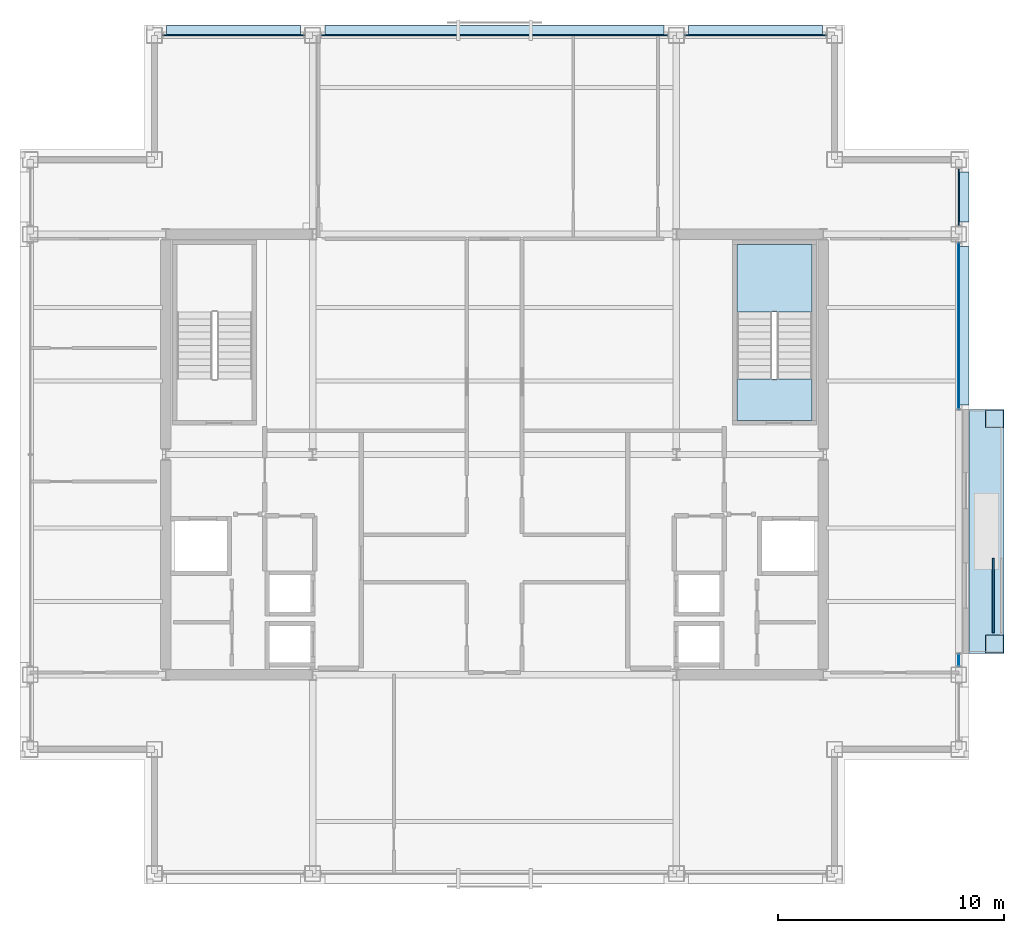
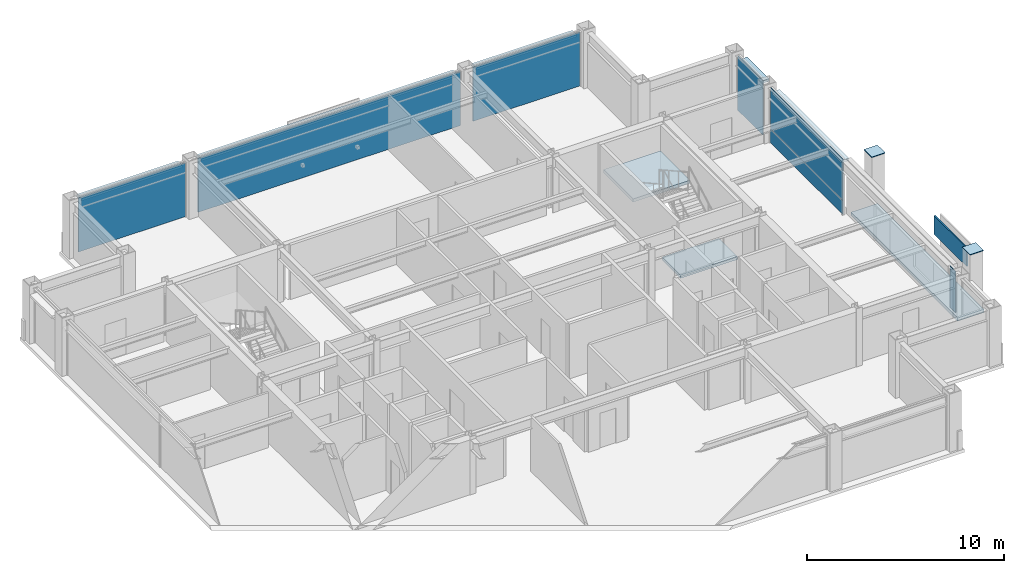
# One storey, part 24 of 30: 15 plates, 3 slabs, 7 elements without a shape of their own.
"""IFC4 building model written with IfcOpenShell, lengths in metres."""

from ifc_helpers import new_model, si_unit, direction, frame, origin, origin_2d, place, context, subcontext, project, spatial, polyline, rectangle, outline, extrude, material, layer, layer_set, type_object, element, aggregate, save


model = new_model("IFC4")

# Units and contexts
model_context = context("Model", 3, precision=1e-05, world=origin(), true_north=direction((0.0, 1.0)))
body_context = subcontext(model_context, "Body", "Model", "MODEL_VIEW")
ifc_project = project(units=[si_unit("LENGTHUNIT", "METRE"), si_unit("AREAUNIT", "SQUARE_METRE"), si_unit("VOLUMEUNIT", "CUBIC_METRE"), si_unit("PLANEANGLEUNIT", "RADIAN"), si_unit("MASSUNIT", "GRAM", prefix="KILO")], contexts=[model_context])

# Site, building, storey
site_placement = place(None, origin())
site = spatial("IfcSite", under=ifc_project, at=site_placement, CompositionType="ELEMENT")
building_placement = place(site_placement, origin())
building = spatial("IfcBuilding", under=site, at=building_placement, Name="Brelmoor Portico Tower", CompositionType="ELEMENT")
storey_placement = place(building_placement, frame((0.0, 0.0, 187.5)))
storey = spatial("IfcBuildingStorey", under=building, at=storey_placement, Name="L49", CompositionType="ELEMENT", Elevation=187.5)

# Plates
ifc_material_1 = material(Name="Steel Q355B", Category="steel")
ifc_layer_1 = layer(ifc_material_1, 0.044921875)
ifc_layer_set_1 = layer_set([ifc_layer_1], Name="Steel Q355B")
plate_type_1 = type_object("IfcPlateType", Name="PT-CAP-650", PredefinedType="SHEET", material=ifc_layer_set_1)
for number, where, z_axis, x_axis, name in (
    (1, (22.1298828125, -8.3798828125, 3.60009765625), (0.0, 0.0, 1.0), (0.0, 1.0, 0.0), "L49 Proud Picture-Frame Pier PFJ-E1 Welded Head Cap Plate"),
    (2, (22.1298828125, 1.580078125, 3.60009765625), (0.0, 0.0, 1.0), (0.0, 1.0, 0.0), "L49 Proud Picture-Frame Pier PFJ-E2 Welded Head Cap Plate"),
):
    element("IfcPlate", number, at=place(storey_placement, frame(where, z_axis=z_axis, x_axis=x_axis)), inside=storey, type_object=plate_type_1, Name=name, PredefinedType="SHEET", context=body_context, shape_type="SweptSolid", body=[
        extrude(rectangle(XDim=0.7900390625, YDim=0.7900390625, at=origin_2d()), origin(), (0.0, 0.0, 1.0), 0.0400390625),
    ])

# Curtain wall, plate
ifc_material_2 = material(Name="Anodised Aluminium Alloy 6063-T6", Category="aluminium")
ifc_layer_2 = layer(ifc_material_2, 0.179931640625)
ifc_layer_set_2 = layer_set([ifc_layer_2], Name="Anodised Aluminium Alloy 6063-T6")
curtain_wall_type_1 = type_object("IfcCurtainWallType", Name="CW-TOWER-Z3", PredefinedType="NOTDEFINED", material=ifc_layer_set_2)
curtain_wall_1_placement = place(storey_placement, origin())
curtain_wall_1 = element("IfcCurtainWall", 3, at=curtain_wall_1_placement, inside=storey, type_object=curtain_wall_type_1, Name="L49 Curtain Wall CW-L49-4L-2", PredefinedType="NOTDEFINED")
ifc_material_3 = material(Name="Double-Silver Low-E Insulated Glazing", Category="glass")
ifc_layer_3 = layer(ifc_material_3, 0.035888671875)
ifc_layer_set_3 = layer_set([ifc_layer_3], Name="Double-Silver Low-E Insulated Glazing")
plate_type_2 = type_object("IfcPlateType", Name="PT-CW-GLASS", PredefinedType="CURTAIN_PANEL", material=ifc_layer_set_3)
plate_1_placement = place(storey_placement, frame((20.550048828125, -9.094970703125, 0.85009765625), z_axis=(0.0, 0.0, 1.0), x_axis=(0.0, 1.0, 0.0)))
plate_1 = element("IfcPlate", 4, at=plate_1_placement, type_object=plate_type_2, Name="CW-L49-4L-2 Vision Glass Panel 00", PredefinedType="CURTAIN_PANEL", context=body_context, shape_type="SweptSolid", body=[
    extrude(rectangle(XDim=0.56005859375, YDim=0.035888671875, at=origin_2d()), origin(), (0.0, 0.0, 1.0), 2.550048828125),
])
aggregate(curtain_wall_1, [plate_1])

curtain_wall_2_placement = place(storey_placement, origin())
curtain_wall_2 = element("IfcCurtainWall", 5, at=curtain_wall_2_placement, inside=storey, type_object=curtain_wall_type_1, Name="L49 Curtain Wall CW-L49-4R-1", PredefinedType="NOTDEFINED")
plate_2_placement = place(storey_placement, frame((20.550048828125, 5.695068359375, 0.85009765625), z_axis=(0.0, 0.0, 1.0), x_axis=(0.0, 1.0, 0.0)))
plate_2 = element("IfcPlate", 6, at=plate_2_placement, type_object=plate_type_2, Name="CW-L49-4R-1 Vision Glass Panel 00", PredefinedType="CURTAIN_PANEL", context=body_context, shape_type="SweptSolid", body=[
    extrude(rectangle(XDim=7.360107421875, YDim=0.035888671875, at=origin_2d()), origin(), (0.0, 0.0, 1.0), 2.550048828125),
])

ifc_layer_4 = layer(ifc_material_2, 0.179931640625)
ifc_layer_set_4 = layer_set([ifc_layer_4], Name="Anodised Aluminium Alloy 6063-T6")
curtain_wall_type_2 = type_object("IfcCurtainWallType", Name="CW-TOWER-Z3-XB", PredefinedType="NOTDEFINED", material=ifc_layer_set_4)
curtain_wall_3_placement = place(storey_placement, origin())
curtain_wall_3 = element("IfcCurtainWall", 7, at=curtain_wall_3_placement, inside=storey, type_object=curtain_wall_type_2, Name="L49 Curtain Wall CW-L49-02-1", PredefinedType="NOTDEFINED")
ifc_material_4 = material(Name="Pale Champagne Anodised Aluminium Panel", Category="aluminium")
ifc_layer_5 = layer(ifc_material_4, 0.050048828125)
ifc_layer_set_5 = layer_set([ifc_layer_5], Name="Pale Champagne Anodised Aluminium Panel")
plate_type_3 = type_object("IfcPlateType", Name="PT-CW-SPANDREL", PredefinedType="SHEET", material=ifc_layer_set_5)
plate_3_placement = place(storey_placement, frame((-11.550048828125, 18.550048828125, 0.0), z_axis=(0.0, 0.0, 1.0), x_axis=(1.0, 0.0, 0.0)))
plate_3 = element("IfcPlate", 8, at=plate_3_placement, type_object=plate_type_3, Name="CW-L49-02-1 Spandrel Panel 00", PredefinedType="SHEET", context=body_context, shape_type="SweptSolid", body=[
    extrude(rectangle(XDim=6.25, YDim=0.050048828125, at=origin_2d()), origin(), (0.0, 0.0, 1.0), 3.33740234375),
])
aggregate(curtain_wall_3, [plate_3])

curtain_wall_4_placement = place(storey_placement, origin())
curtain_wall_4 = element("IfcCurtainWall", 9, at=curtain_wall_4_placement, inside=storey, type_object=curtain_wall_type_2, Name="L49 Curtain Wall CW-L49-02-2", PredefinedType="NOTDEFINED")
plate_4_placement = place(storey_placement, frame((0.0, 18.550048828125, 0.0), z_axis=(0.0, 0.0, 1.0), x_axis=(1.0, 0.0, 0.0)))
plate_4 = element("IfcPlate", 10, at=plate_4_placement, type_object=plate_type_3, Name="CW-L49-02-2 Spandrel Panel 00", PredefinedType="SHEET", context=body_context, shape_type="SweptSolid", body=[
    extrude(rectangle(XDim=15.35009765625, YDim=0.050048828125, at=origin_2d()), origin(), (0.0, 0.0, 1.0), 3.33740234375),
])
aggregate(curtain_wall_4, [plate_4])

curtain_wall_5_placement = place(storey_placement, origin())
curtain_wall_5 = element("IfcCurtainWall", 11, at=curtain_wall_5_placement, inside=storey, type_object=curtain_wall_type_2, Name="L49 Curtain Wall CW-L49-02-3", PredefinedType="NOTDEFINED")
plate_5_placement = place(storey_placement, frame((11.550048828125, 18.550048828125, 0.0), z_axis=(0.0, 0.0, 1.0), x_axis=(1.0, 0.0, 0.0)))
plate_5 = element("IfcPlate", 12, at=plate_5_placement, type_object=plate_type_3, Name="CW-L49-02-3 Spandrel Panel 00", PredefinedType="SHEET", context=body_context, shape_type="SweptSolid", body=[
    extrude(rectangle(XDim=6.25, YDim=0.050048828125, at=origin_2d()), origin(), (0.0, 0.0, 1.0), 3.33740234375),
])
aggregate(curtain_wall_5, [plate_5])

# Plate
plate_6_placement = place(storey_placement, frame((20.550048828125, 5.695068359375, 0.0), z_axis=(0.0, 0.0, 1.0), x_axis=(0.0, 1.0, 0.0)))
plate_6 = element("IfcPlate", 13, at=plate_6_placement, type_object=plate_type_3, Name="CW-L49-4R-1 Spandrel Panel 00", PredefinedType="SHEET", context=body_context, shape_type="SweptSolid", body=[
    extrude(rectangle(XDim=7.360107421875, YDim=0.050048828125, at=origin_2d()), origin(), (0.0, 0.0, 1.0), 0.85009765625),
])

aggregate(curtain_wall_2, [plate_6, plate_2])

# Curtain wall, plate
curtain_wall_6_placement = place(storey_placement, origin())
curtain_wall_6 = element("IfcCurtainWall", 14, at=curtain_wall_6_placement, inside=storey, type_object=curtain_wall_type_2, Name="L49 Curtain Wall CW-L49-4R-2", PredefinedType="NOTDEFINED")
plate_7_placement = place(storey_placement, frame((20.550048828125, 11.39990234375, 0.0), z_axis=(0.0, 0.0, 1.0), x_axis=(0.0, 1.0, 0.0)))
plate_7 = element("IfcPlate", 15, at=plate_7_placement, type_object=plate_type_3, Name="CW-L49-4R-2 Spandrel Panel 00", PredefinedType="SHEET", context=body_context, shape_type="SweptSolid", body=[
    extrude(rectangle(XDim=2.550048828125, YDim=0.050048828125, at=origin_2d()), origin(), (0.0, 0.0, 1.0), 3.33740234375),
])
aggregate(curtain_wall_6, [plate_7])

# Plates
ifc_material_5 = material(Name="Powder-Coated Aluminium Shuttered Jalousie Louvre", Category="aluminium")
ifc_layer_6 = layer(ifc_material_5, 0.06005859375)
ifc_layer_set_6 = layer_set([ifc_layer_6], Name="Powder-Coated Aluminium Shuttered Jalousie Louvre")
plate_type_4 = type_object("IfcPlateType", Name="PT-JALOUSIE-SHUTTER", PredefinedType="SHEET", material=ifc_layer_set_6)
plate_8_placement = place(storey_placement, frame((22.080078125, -6.25, 2.275146484375), z_axis=(0.0, 0.0, 1.0), x_axis=(0.0, 1.0, 0.0)))
element("IfcPlate", 16, at=plate_8_placement, inside=storey, type_object=plate_type_4, Name="L49 Shuttered Veranda Screen E", PredefinedType="SHEET", context=body_context, shape_type="SweptSolid", body=[
    extrude(rectangle(XDim=3.300048828125, YDim=0.080078125, at=origin_2d()), origin(), (0.0, 0.0, 1.0), 1.14990234375),
])
ifc_material_6 = material(Name="Pale Champagne Perforated Aluminium Solar Screen", Category="aluminium")
ifc_layer_7 = layer(ifc_material_6, 0.054931640625)
ifc_layer_set_7 = layer_set([ifc_layer_7], Name="Pale Champagne Perforated Aluminium Solar Screen")
plate_type_5 = type_object("IfcPlateType", Name="PT-SOLAR-LOUVRE", PredefinedType="SHEET", material=ifc_layer_set_7)
plate_9_placement = place(storey_placement, frame((-11.550048828125, 18.760009765625, 3.08984375), z_axis=(0.0, 0.0, 1.0), x_axis=(1.0, 0.0, 0.0)))
element("IfcPlate", 17, at=plate_9_placement, inside=storey, type_object=plate_type_5, Name="CW-L49-02-1 Caribbean Brise-Soleil Solar Screen", PredefinedType="SHEET", context=body_context, shape_type="SweptSolid", body=[
    extrude(rectangle(XDim=5.919921875, YDim=0.4599609375, at=origin_2d()), origin(), (0.0, 0.0, 1.0), 0.139892578125),
])
plate_10_placement = place(storey_placement, frame((0.0, 18.760009765625, 3.08984375), z_axis=(0.0, 0.0, 1.0), x_axis=(1.0, 0.0, 0.0)))
element("IfcPlate", 18, at=plate_10_placement, inside=storey, type_object=plate_type_5, Name="CW-L49-02-2 Caribbean Brise-Soleil Solar Screen", PredefinedType="SHEET", context=body_context, shape_type="SweptSolid", body=[
    extrude(rectangle(XDim=15.02001953125, YDim=0.4599609375, at=origin_2d()), origin(), (0.0, 0.0, 1.0), 0.139892578125),
])
plate_11_placement = place(storey_placement, frame((11.550048828125, 18.760009765625, 3.08984375), z_axis=(0.0, 0.0, 1.0), x_axis=(1.0, 0.0, 0.0)))
element("IfcPlate", 19, at=plate_11_placement, inside=storey, type_object=plate_type_5, Name="CW-L49-02-3 Caribbean Brise-Soleil Solar Screen", PredefinedType="SHEET", context=body_context, shape_type="SweptSolid", body=[
    extrude(rectangle(XDim=5.919921875, YDim=0.4599609375, at=origin_2d()), origin(), (0.0, 0.0, 1.0), 0.139892578125),
])
plate_12_placement = place(storey_placement, frame((20.760009765625, 5.695068359375, 3.08984375), z_axis=(0.0, 0.0, 1.0), x_axis=(0.0, 1.0, 0.0)))
element("IfcPlate", 20, at=plate_12_placement, inside=storey, type_object=plate_type_5, Name="CW-L49-4R-1 Caribbean Brise-Soleil Solar Screen", PredefinedType="SHEET", context=body_context, shape_type="SweptSolid", body=[
    extrude(rectangle(XDim=7.030029296875, YDim=0.4599609375, at=origin_2d()), origin(), (0.0, 0.0, 1.0), 0.139892578125),
])
plate_13_placement = place(storey_placement, frame((20.760009765625, 11.39990234375, 3.08984375), z_axis=(0.0, 0.0, 1.0), x_axis=(0.0, 1.0, 0.0)))
element("IfcPlate", 21, at=plate_13_placement, inside=storey, type_object=plate_type_5, Name="CW-L49-4R-2 Caribbean Brise-Soleil Solar Screen", PredefinedType="SHEET", context=body_context, shape_type="SweptSolid", body=[
    extrude(rectangle(XDim=2.219970703125, YDim=0.4599609375, at=origin_2d()), origin(), (0.0, 0.0, 1.0), 0.139892578125),
])

# Slab
ifc_material_7 = material(Name="Concrete C40", Category="concrete")
ifc_layer_8 = layer(ifc_material_7, 0.199951171875)
ifc_layer_set_8 = layer_set([ifc_layer_8], Name="Concrete C40")
slab_type_1 = type_object("IfcSlabType", Name="SL-BALCONY-200", PredefinedType="FLOOR", material=ifc_layer_set_8)
slab_1_placement = place(storey_placement, frame((0.0, 0.0, -0.199951171875)))
element("IfcSlab", 22, at=slab_1_placement, inside=storey, type_object=slab_type_1, Name="L49 Loggia Tree Balcony Slab E", PredefinedType="FLOOR", context=body_context, shape_type="SweptSolid", body=[
    extrude(outline(polyline([(21.0, -8.800048828125), (22.550048828125, -8.800048828125), (22.550048828125, 2.0), (21.0, 2.0), (21.0, -8.800048828125)])), origin(), (0.0, 0.0, 1.0), 0.199951171875),
])

# Stair, slab
stair_type = type_object("IfcStairType", Name="ST-CORE-E", PredefinedType="HALF_TURN_STAIR", material=ifc_material_7)
stair_placement = place(storey_placement, origin())
stair = element("IfcStair", 23, at=stair_placement, inside=storey, type_object=stair_type, Name="L49 Protected Core Exit Stair ST-E", PredefinedType="HALF_TURN_STAIR")
ifc_layer_9 = layer(ifc_material_7, 0.179931640625)
ifc_layer_set_9 = layer_set([ifc_layer_9], Name="Concrete C40")
slab_type_2 = type_object("IfcSlabType", Name="SL-LANDING-180", PredefinedType="LANDING", material=ifc_layer_set_9)
slab_2_placement = place(storey_placement, frame((0.0, 0.0, 1.60009765625)))
slab_2 = element("IfcSlab", 24, at=slab_2_placement, type_object=slab_type_2, Name="ST-E landing 1", PredefinedType="LANDING", context=body_context, shape_type="SweptSolid", body=[
    extrude(outline(polyline([(14.050048828125, 6.300048828125), (14.050048828125, 9.300048828125), (10.72998046875, 9.300048828125), (10.72998046875, 6.300048828125), (14.050048828125, 6.300048828125)])), origin(), (0.0, 0.0, 1.0), 0.199951171875),
])
aggregate(stair, [slab_2])

# Slab
ifc_layer_10 = layer(ifc_material_7, 0.199951171875)
ifc_layer_set_10 = layer_set([ifc_layer_10], Name="Concrete C40")
slab_type_3 = type_object("IfcSlabType", Name="SL-STAIR-FL200", PredefinedType="LANDING", material=ifc_layer_set_10)
slab_3_placement = place(storey_placement, frame((0.0, 0.0, -0.199951171875)))
element("IfcSlab", 25, at=slab_3_placement, inside=storey, type_object=slab_type_3, Name="L49 ST-E Structural Floor Landing Slab", PredefinedType="LANDING", context=body_context, shape_type="SweptSolid", body=[
    extrude(outline(polyline([(14.050048828125, 1.5), (14.050048828125, 3.35009765625), (10.72998046875, 3.35009765625), (10.72998046875, 1.5), (14.050048828125, 1.5)])), origin(), (0.0, 0.0, 1.0), 0.199951171875),
])

save(model, "model.ifc")
